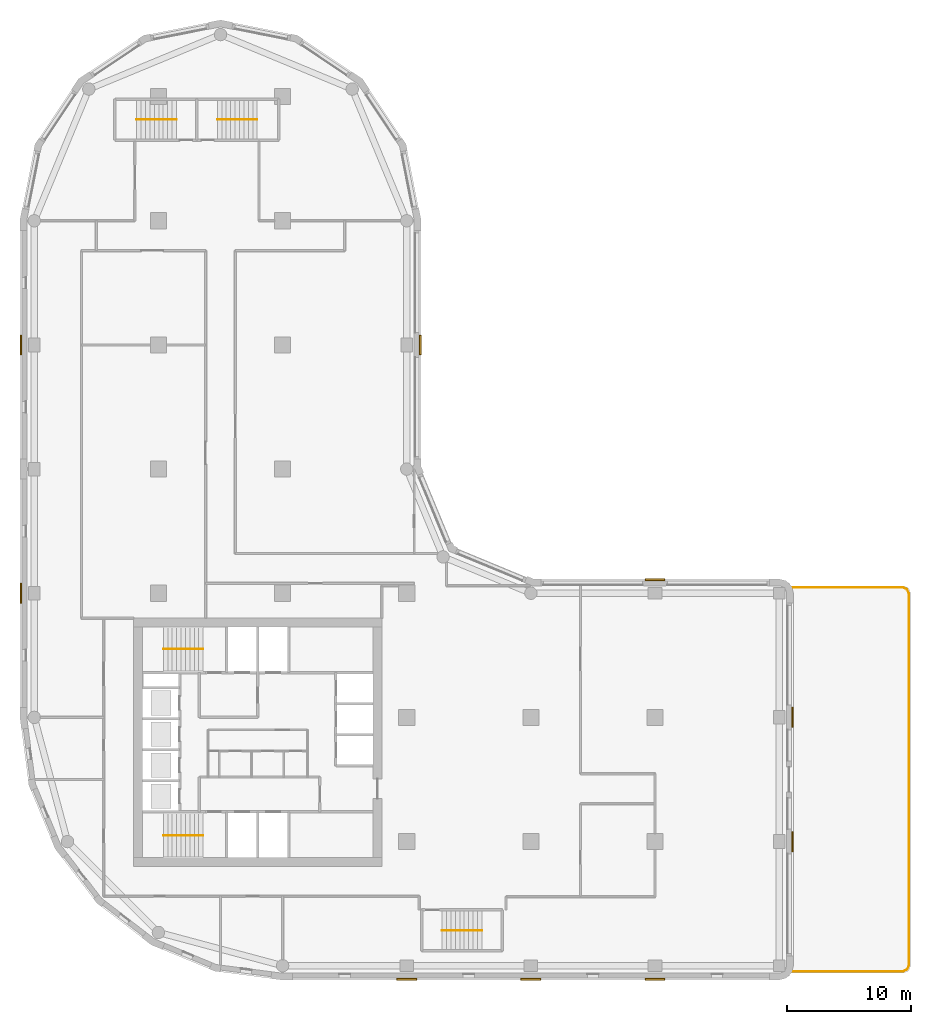
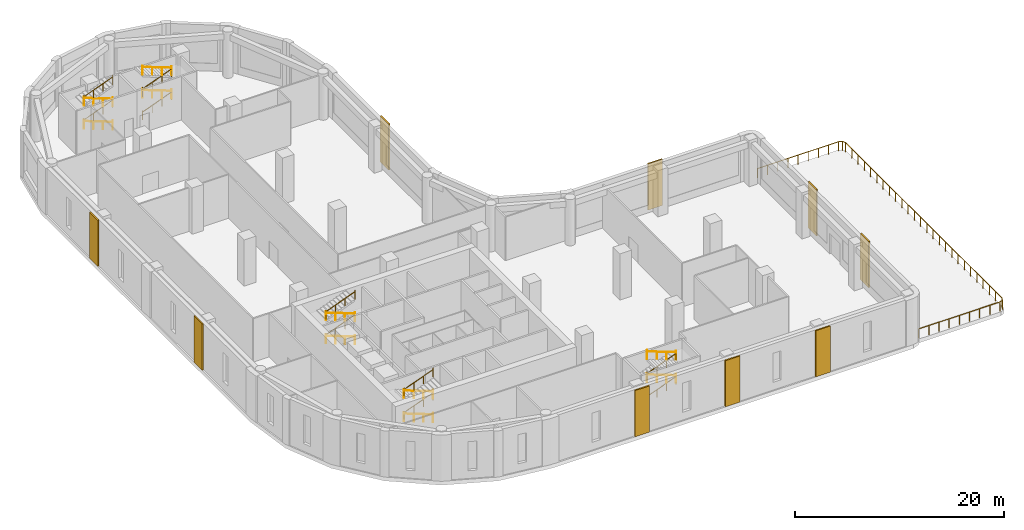
# One storey, part 8 of 9: 21 railings, 9 coverings.
"""IFC4 building model written with IfcOpenShell, lengths in metres."""

from ifc_helpers import new_model, si_unit, direction, frame, origin, origin_2d, place, context, subcontext, project, spatial, polyline, circle, outline, extrude, material, layer, layer_set, type_object, element, save


model = new_model("IFC4")

# Units and contexts
model_context = context("Model", 3, precision=1e-05, world=origin(), true_north=direction((0.0, 1.0)))
body_context = subcontext(model_context, "Body", "Model", "MODEL_VIEW")
ifc_project = project(units=[si_unit("LENGTHUNIT", "METRE"), si_unit("AREAUNIT", "SQUARE_METRE"), si_unit("VOLUMEUNIT", "CUBIC_METRE"), si_unit("PLANEANGLEUNIT", "RADIAN"), si_unit("MASSUNIT", "GRAM", prefix="KILO")], contexts=[model_context])

# Site, building, storey
site_placement = place(None, origin())
site = spatial("IfcSite", under=ifc_project, at=site_placement, CompositionType="ELEMENT")
building_placement = place(site_placement, origin())
building = spatial("IfcBuilding", under=site, at=building_placement, Name="Qaws Garden Tower", CompositionType="ELEMENT")
storey_placement = place(building_placement, frame((0.0, 0.0, 126.300048828125)))
storey = spatial("IfcBuildingStorey", under=building, at=storey_placement, Name="L30", CompositionType="ELEMENT", Elevation=126.300048828125)

# Coverings
ifc_material_1 = material(Name="Clay facing brick masonry", Category="masonry")
ifc_layer = layer(ifc_material_1, 0.14990234375)
ifc_layer_set = layer_set([ifc_layer], Name="Clay facing brick masonry")
covering_type = type_object("IfcCoveringType", Name="Brick pilaster facing 150 x 1600", PredefinedType="CLADDING", material=ifc_layer_set)
placement = place(storey_placement, origin())
element("IfcCovering", 1, at=placement, inside=storey, type_object=covering_type, Name="E-L30-pier-01", PredefinedType="CLADDING", context=body_context, shape_type="SweptSolid", body=[
    extrude(outline(polyline([(29.199951171875, -1.0), (30.800048828125, -1.0), (30.800048828125, -1.14990234375), (29.199951171875, -1.14990234375), (29.199951171875, -1.0)])), origin(), (0.0, 0.0, 1.0), 5.39990234375),
])
element("IfcCovering", 2, at=placement, inside=storey, type_object=covering_type, Name="E-L30-pier-02", PredefinedType="CLADDING", context=body_context, shape_type="SweptSolid", body=[
    extrude(outline(polyline([(39.199951171875, -1.0), (40.800048828125, -1.0), (40.800048828125, -1.14990234375), (39.199951171875, -1.14990234375), (39.199951171875, -1.0)])), origin(), (0.0, 0.0, 1.0), 5.39990234375),
])
element("IfcCovering", 3, at=placement, inside=storey, type_object=covering_type, Name="E-L30-pier-03", PredefinedType="CLADDING", context=body_context, shape_type="SweptSolid", body=[
    extrude(outline(polyline([(49.199951171875, -1.0), (50.800048828125, -1.0), (50.800048828125, -1.14990234375), (49.199951171875, -1.14990234375), (49.199951171875, -1.0)])), origin(), (0.0, 0.0, 1.0), 5.39990234375),
])
element("IfcCovering", 4, at=placement, inside=storey, type_object=covering_type, Name="E-L30-pier-05", PredefinedType="CLADDING", context=body_context, shape_type="SweptSolid", body=[
    extrude(outline(polyline([(61.0, 9.199951171875), (61.0, 10.800048828125), (61.14990234375, 10.800048828125), (61.14990234375, 9.199951171875), (61.0, 9.199951171875)])), origin(), (0.0, 0.0, 1.0), 5.39990234375),
])
element("IfcCovering", 5, at=placement, inside=storey, type_object=covering_type, Name="E-L30-pier-06", PredefinedType="CLADDING", context=body_context, shape_type="SweptSolid", body=[
    extrude(outline(polyline([(61.0, 19.199951171875), (61.0, 20.800048828125), (61.14990234375, 20.800048828125), (61.14990234375, 19.199951171875), (61.0, 19.199951171875)])), origin(), (0.0, 0.0, 1.0), 5.39990234375),
])
element("IfcCovering", 6, at=placement, inside=storey, type_object=covering_type, Name="E-L30-pier-08", PredefinedType="CLADDING", context=body_context, shape_type="SweptSolid", body=[
    extrude(outline(polyline([(50.800048828125, 31.0), (49.199951171875, 31.0), (49.199951171875, 31.14990234375), (50.800048828125, 31.14990234375), (50.800048828125, 31.0)])), origin(), (0.0, 0.0, 1.0), 5.39990234375),
])
element("IfcCovering", 7, at=placement, inside=storey, type_object=covering_type, Name="E-L30-pier-12", PredefinedType="CLADDING", context=body_context, shape_type="SweptSolid", body=[
    extrude(outline(polyline([(31.0, 49.199951171875), (31.0, 50.800048828125), (31.14990234375, 50.800048828125), (31.14990234375, 49.199951171875), (31.0, 49.199951171875)])), origin(), (0.0, 0.0, 1.0), 5.39990234375),
])
element("IfcCovering", 8, at=placement, inside=storey, type_object=covering_type, Name="E-L30-pier-22", PredefinedType="CLADDING", context=body_context, shape_type="SweptSolid", body=[
    extrude(outline(polyline([(-1.0, 50.800048828125), (-1.0, 49.199951171875), (-1.14990234375, 49.199951171875), (-1.14990234375, 50.800048828125), (-1.0, 50.800048828125)])), origin(), (0.0, 0.0, 1.0), 5.39990234375),
])
element("IfcCovering", 9, at=placement, inside=storey, type_object=covering_type, Name="E-L30-pier-24", PredefinedType="CLADDING", context=body_context, shape_type="SweptSolid", body=[
    extrude(outline(polyline([(-1.0, 30.800048828125), (-1.0, 29.199951171875), (-1.14990234375, 29.199951171875), (-1.14990234375, 30.800048828125), (-1.0, 30.800048828125)])), origin(), (0.0, 0.0, 1.0), 5.39990234375),
])

# Railings
ifc_material_2 = material(Name="Glass and steel S355", Category="steel")
railing_type_1 = type_object("IfcRailingType", Name="Guard glass balustrade 1100", PredefinedType="GUARDRAIL", material=ifc_material_2)
railing_1_placement = place(storey_placement, frame((60.97607421875, 30.449951171875, 0.0)))
element("IfcRailing", 10, at=railing_1_placement, inside=storey, type_object=railing_type_1, Name="Terrace guard", PredefinedType="GUARDRAIL", context=body_context, shape_type="SweptSolid", body=[
    extrude(circle(Radius=0.02392578125, at=origin_2d()), frame((0.0, 0.0, 1.076171875), z_axis=(1.0, 0.0, 0.0), x_axis=(0.0, 1.0, 0.0)), (0.0, 0.0, 1.0), 8.994140625),
    extrude(circle(Radius=0.02392578125, at=origin_2d()), frame((8.994140625, 0.0, 1.076171875), z_axis=(0.924057322028, -0.382253928177, 0.0), x_axis=(0.382253928177, 0.924057322028, 0.0)), (0.0, 0.0, 1.0), 0.3671875),
    extrude(circle(Radius=0.02392578125, at=origin_2d()), frame((9.33349609375, -0.140380859375, 1.076171875), z_axis=(0.382253928177, -0.924057322028, 0.0), x_axis=(0.924057322028, 0.382253928177, 0.0)), (0.0, 0.0, 1.0), 0.3671875),
    extrude(circle(Radius=0.02392578125, at=origin_2d()), frame((9.473876953125, -0.479736328125, 1.076171875), z_axis=(0.0, -1.0, 0.0), x_axis=(1.0, 0.0, 0.0)), (0.0, 0.0, 1.0), 29.9404296875),
    extrude(circle(Radius=0.02392578125, at=origin_2d()), frame((9.473876953125, -30.420166015625, 1.076171875), z_axis=(-0.382253928177, -0.924057322028, 0.0), x_axis=(0.924057322028, -0.382253928177, 0.0)), (0.0, 0.0, 1.0), 0.3671875),
    extrude(circle(Radius=0.02392578125, at=origin_2d()), frame((9.33349609375, -30.759521484375, 1.076171875), z_axis=(-0.924057322028, -0.382253928177, 0.0), x_axis=(0.382253928177, -0.924057322028, 0.0)), (0.0, 0.0, 1.0), 0.3671875),
    extrude(circle(Radius=0.02392578125, at=origin_2d()), frame((8.994140625, -30.89990234375, 1.076171875), z_axis=(-1.0, 0.0, 0.0), x_axis=(0.0, -1.0, 0.0)), (0.0, 0.0, 1.0), 8.994140625),
    extrude(circle(Radius=0.02099609375, at=origin_2d()), origin(), (0.0, 0.0, 1.0), 1.052001953125),
    extrude(circle(Radius=0.02099609375, at=origin_2d()), frame((1.124267578125, 0.0, 0.0)), (0.0, 0.0, 1.0), 1.052001953125),
    extrude(circle(Radius=0.02099609375, at=origin_2d()), frame((2.24853515625, 0.0, 0.0)), (0.0, 0.0, 1.0), 1.052001953125),
    extrude(circle(Radius=0.02099609375, at=origin_2d()), frame((3.372802734375, 0.0, 0.0)), (0.0, 0.0, 1.0), 1.052001953125),
    extrude(circle(Radius=0.02099609375, at=origin_2d()), frame((4.4970703125, 0.0, 0.0)), (0.0, 0.0, 1.0), 1.052001953125),
    extrude(circle(Radius=0.02099609375, at=origin_2d()), frame((5.621337890625, 0.0, 0.0)), (0.0, 0.0, 1.0), 1.052001953125),
    extrude(circle(Radius=0.02099609375, at=origin_2d()), frame((6.74560546875, 0.0, 0.0)), (0.0, 0.0, 1.0), 1.052001953125),
    extrude(circle(Radius=0.02099609375, at=origin_2d()), frame((7.869873046875, 0.0, 0.0)), (0.0, 0.0, 1.0), 1.052001953125),
    extrude(circle(Radius=0.02099609375, at=origin_2d()), frame((8.994140625, 0.0, 0.0)), (0.0, 0.0, 1.0), 1.052001953125),
    extrude(circle(Radius=0.02099609375, at=origin_2d()), frame((9.33349609375, -0.140380859375, 0.0)), (0.0, 0.0, 1.0), 1.052001953125),
    extrude(circle(Radius=0.02099609375, at=origin_2d()), frame((9.473876953125, -0.479736328125, 0.0)), (0.0, 0.0, 1.0), 1.052001953125),
    extrude(circle(Radius=0.02099609375, at=origin_2d()), frame((9.473876953125, -1.67724609375, 0.0)), (0.0, 0.0, 1.0), 1.052001953125),
    extrude(circle(Radius=0.02099609375, at=origin_2d()), frame((9.473876953125, -2.875, 0.0)), (0.0, 0.0, 1.0), 1.052001953125),
    extrude(circle(Radius=0.02099609375, at=origin_2d()), frame((9.473876953125, -4.072509765625, 0.0)), (0.0, 0.0, 1.0), 1.052001953125),
    extrude(circle(Radius=0.02099609375, at=origin_2d()), frame((9.473876953125, -5.270263671875, 0.0)), (0.0, 0.0, 1.0), 1.052001953125),
    extrude(circle(Radius=0.02099609375, at=origin_2d()), frame((9.473876953125, -6.4677734375, 0.0)), (0.0, 0.0, 1.0), 1.052001953125),
    extrude(circle(Radius=0.02099609375, at=origin_2d()), frame((9.473876953125, -7.66552734375, 0.0)), (0.0, 0.0, 1.0), 1.052001953125),
    extrude(circle(Radius=0.02099609375, at=origin_2d()), frame((9.473876953125, -8.863037109375, 0.0)), (0.0, 0.0, 1.0), 1.052001953125),
    extrude(circle(Radius=0.02099609375, at=origin_2d()), frame((9.473876953125, -10.060791015625, 0.0)), (0.0, 0.0, 1.0), 1.052001953125),
    extrude(circle(Radius=0.02099609375, at=origin_2d()), frame((9.473876953125, -11.25830078125, 0.0)), (0.0, 0.0, 1.0), 1.052001953125),
    extrude(circle(Radius=0.02099609375, at=origin_2d()), frame((9.473876953125, -12.455810546875, 0.0)), (0.0, 0.0, 1.0), 1.052001953125),
    extrude(circle(Radius=0.02099609375, at=origin_2d()), frame((9.473876953125, -13.653564453125, 0.0)), (0.0, 0.0, 1.0), 1.052001953125),
    extrude(circle(Radius=0.02099609375, at=origin_2d()), frame((9.473876953125, -14.85107421875, 0.0)), (0.0, 0.0, 1.0), 1.052001953125),
    extrude(circle(Radius=0.02099609375, at=origin_2d()), frame((9.473876953125, -16.048828125, 0.0)), (0.0, 0.0, 1.0), 1.052001953125),
    extrude(circle(Radius=0.02099609375, at=origin_2d()), frame((9.473876953125, -17.246337890625, 0.0)), (0.0, 0.0, 1.0), 1.052001953125),
    extrude(circle(Radius=0.02099609375, at=origin_2d()), frame((9.473876953125, -18.444091796875, 0.0)), (0.0, 0.0, 1.0), 1.052001953125),
    extrude(circle(Radius=0.02099609375, at=origin_2d()), frame((9.473876953125, -19.6416015625, 0.0)), (0.0, 0.0, 1.0), 1.052001953125),
    extrude(circle(Radius=0.02099609375, at=origin_2d()), frame((9.473876953125, -20.839111328125, 0.0)), (0.0, 0.0, 1.0), 1.052001953125),
    extrude(circle(Radius=0.02099609375, at=origin_2d()), frame((9.473876953125, -22.036865234375, 0.0)), (0.0, 0.0, 1.0), 1.052001953125),
    extrude(circle(Radius=0.02099609375, at=origin_2d()), frame((9.473876953125, -23.234375, 0.0)), (0.0, 0.0, 1.0), 1.052001953125),
    extrude(circle(Radius=0.02099609375, at=origin_2d()), frame((9.473876953125, -24.43212890625, 0.0)), (0.0, 0.0, 1.0), 1.052001953125),
    extrude(circle(Radius=0.02099609375, at=origin_2d()), frame((9.473876953125, -25.629638671875, 0.0)), (0.0, 0.0, 1.0), 1.052001953125),
    extrude(circle(Radius=0.02099609375, at=origin_2d()), frame((9.473876953125, -26.827392578125, 0.0)), (0.0, 0.0, 1.0), 1.052001953125),
    extrude(circle(Radius=0.02099609375, at=origin_2d()), frame((9.473876953125, -28.02490234375, 0.0)), (0.0, 0.0, 1.0), 1.052001953125),
    extrude(circle(Radius=0.02099609375, at=origin_2d()), frame((9.473876953125, -29.22265625, 0.0)), (0.0, 0.0, 1.0), 1.052001953125),
    extrude(circle(Radius=0.02099609375, at=origin_2d()), frame((9.473876953125, -30.420166015625, 0.0)), (0.0, 0.0, 1.0), 1.052001953125),
    extrude(circle(Radius=0.02099609375, at=origin_2d()), frame((9.33349609375, -30.759521484375, 0.0)), (0.0, 0.0, 1.0), 1.052001953125),
    extrude(circle(Radius=0.02099609375, at=origin_2d()), frame((8.994140625, -30.89990234375, 0.0)), (0.0, 0.0, 1.0), 1.052001953125),
    extrude(circle(Radius=0.02099609375, at=origin_2d()), frame((7.869873046875, -30.89990234375, 0.0)), (0.0, 0.0, 1.0), 1.052001953125),
    extrude(circle(Radius=0.02099609375, at=origin_2d()), frame((6.74560546875, -30.89990234375, 0.0)), (0.0, 0.0, 1.0), 1.052001953125),
    extrude(circle(Radius=0.02099609375, at=origin_2d()), frame((5.621337890625, -30.89990234375, 0.0)), (0.0, 0.0, 1.0), 1.052001953125),
    extrude(circle(Radius=0.02099609375, at=origin_2d()), frame((4.4970703125, -30.89990234375, 0.0)), (0.0, 0.0, 1.0), 1.052001953125),
    extrude(circle(Radius=0.02099609375, at=origin_2d()), frame((3.372802734375, -30.89990234375, 0.0)), (0.0, 0.0, 1.0), 1.052001953125),
    extrude(circle(Radius=0.02099609375, at=origin_2d()), frame((2.24853515625, -30.89990234375, 0.0)), (0.0, 0.0, 1.0), 1.052001953125),
    extrude(circle(Radius=0.02099609375, at=origin_2d()), frame((1.124267578125, -30.89990234375, 0.0)), (0.0, 0.0, 1.0), 1.052001953125),
    extrude(circle(Radius=0.02099609375, at=origin_2d()), frame((0.0, -30.89990234375, 0.0)), (0.0, 0.0, 1.0), 1.052001953125),
])
ifc_material_3 = material(Name="Steel S355", Category="steel")
railing_type_2 = type_object("IfcRailingType", Name="Stair handrail 900", PredefinedType="HANDRAIL", material=ifc_material_3)
railing_2_placement = place(storey_placement, frame((13.60009765625, 10.5, 0.135009765625)))
element("IfcRailing", 11, at=railing_2_placement, inside=storey, type_object=railing_type_2, Name="Stair 1 handrail", PredefinedType="HANDRAIL", context=body_context, shape_type="SweptSolid", body=[
    extrude(circle(Radius=0.02392578125, at=origin_2d()), frame((0.0, 0.0, 0.8759765625), z_axis=(-0.935046397956, 0.0, 0.354525363931), x_axis=(0.0, -1.0, 0.0)), (0.0, 0.0, 1.0), 3.4267578125),
    extrude(circle(Radius=0.02099609375, at=origin_2d()), origin(), (0.0, 0.0, 1.0), 1.034912109375),
    extrude(circle(Radius=0.02099609375, at=origin_2d()), frame((-1.068115234375, 0.0, 0.405029296875)), (0.0, 0.0, 1.0), 0.851806640625),
    extrude(circle(Radius=0.02099609375, at=origin_2d()), frame((-2.135986328125, 0.0, 0.809814453125)), (0.0, 0.0, 1.0), 0.851806640625),
    extrude(circle(Radius=0.02099609375, at=origin_2d()), frame((-3.2041015625, 0.0, 1.21484375)), (0.0, 0.0, 1.0), 1.034912109375),
])
railing_3_placement = place(storey_placement, frame((10.39599609375, 10.5, 1.48486328125)))
element("IfcRailing", 12, at=railing_3_placement, inside=storey, type_object=railing_type_2, Name="Stair 1 handrail", PredefinedType="HANDRAIL", context=body_context, shape_type="SweptSolid", body=[
    extrude(circle(Radius=0.02392578125, at=origin_2d()), frame((0.0, 0.0, 0.8759765625), z_axis=(0.935022778244, 0.0, 0.354587653712), x_axis=(0.0, 1.0, 0.0)), (0.0, 0.0, 1.0), 3.4267578125),
    extrude(circle(Radius=0.02099609375, at=origin_2d()), origin(), (0.0, 0.0, 1.0), 1.034912109375),
    extrude(circle(Radius=0.02099609375, at=origin_2d()), frame((1.068115234375, 0.0, 0.405029296875)), (0.0, 0.0, 1.0), 0.851806640625),
    extrude(circle(Radius=0.02099609375, at=origin_2d()), frame((2.135986328125, 0.0, 0.81005859375)), (0.0, 0.0, 1.0), 0.851806640625),
    extrude(circle(Radius=0.02099609375, at=origin_2d()), frame((3.2041015625, 0.0, 1.215087890625)), (0.0, 0.0, 1.0), 1.034912109375),
])
railing_4_placement = place(storey_placement, frame((13.60009765625, 10.5, 2.8349609375)))
element("IfcRailing", 13, at=railing_4_placement, inside=storey, type_object=railing_type_2, Name="Stair 1 handrail", PredefinedType="HANDRAIL", context=body_context, shape_type="SweptSolid", body=[
    extrude(circle(Radius=0.02392578125, at=origin_2d()), frame((0.0, 0.0, 0.8759765625), z_axis=(-0.935022778244, 0.0, 0.354587653712), x_axis=(0.0, -1.0, 0.0)), (0.0, 0.0, 1.0), 3.4267578125),
    extrude(circle(Radius=0.02099609375, at=origin_2d()), origin(), (0.0, 0.0, 1.0), 1.034912109375),
    extrude(circle(Radius=0.02099609375, at=origin_2d()), frame((-1.068115234375, 0.0, 0.405029296875)), (0.0, 0.0, 1.0), 0.851806640625),
    extrude(circle(Radius=0.02099609375, at=origin_2d()), frame((-2.135986328125, 0.0, 0.81005859375)), (0.0, 0.0, 1.0), 0.851806640625),
    extrude(circle(Radius=0.02099609375, at=origin_2d()), frame((-3.2041015625, 0.0, 1.215087890625)), (0.0, 0.0, 1.0), 1.034912109375),
])
railing_5_placement = place(storey_placement, frame((10.39599609375, 10.5, 4.18505859375)))
element("IfcRailing", 14, at=railing_5_placement, inside=storey, type_object=railing_type_2, Name="Stair 1 handrail", PredefinedType="HANDRAIL", context=body_context, shape_type="SweptSolid", body=[
    extrude(circle(Radius=0.02392578125, at=origin_2d()), frame((0.0, 0.0, 0.8759765625), z_axis=(0.935046397956, 0.0, 0.354525363931), x_axis=(0.0, 1.0, 0.0)), (0.0, 0.0, 1.0), 3.4267578125),
    extrude(circle(Radius=0.02099609375, at=origin_2d()), origin(), (0.0, 0.0, 1.0), 1.034912109375),
    extrude(circle(Radius=0.02099609375, at=origin_2d()), frame((1.068115234375, 0.0, 0.405029296875)), (0.0, 0.0, 1.0), 0.851806640625),
    extrude(circle(Radius=0.02099609375, at=origin_2d()), frame((2.135986328125, 0.0, 0.809814453125)), (0.0, 0.0, 1.0), 0.851806640625),
    extrude(circle(Radius=0.02099609375, at=origin_2d()), frame((3.2041015625, 0.0, 1.21484375)), (0.0, 0.0, 1.0), 1.034912109375),
])
railing_6_placement = place(storey_placement, frame((13.60009765625, 25.5, 0.135009765625)))
element("IfcRailing", 15, at=railing_6_placement, inside=storey, type_object=railing_type_2, Name="Stair 4 handrail", PredefinedType="HANDRAIL", context=body_context, shape_type="SweptSolid", body=[
    extrude(circle(Radius=0.02392578125, at=origin_2d()), frame((0.0, 0.0, 0.8759765625), z_axis=(-0.935046397956, 0.0, 0.354525363931), x_axis=(0.0, -1.0, 0.0)), (0.0, 0.0, 1.0), 3.4267578125),
    extrude(circle(Radius=0.02099609375, at=origin_2d()), origin(), (0.0, 0.0, 1.0), 1.034912109375),
    extrude(circle(Radius=0.02099609375, at=origin_2d()), frame((-1.068115234375, 0.0, 0.405029296875)), (0.0, 0.0, 1.0), 0.851806640625),
    extrude(circle(Radius=0.02099609375, at=origin_2d()), frame((-2.135986328125, 0.0, 0.809814453125)), (0.0, 0.0, 1.0), 0.851806640625),
    extrude(circle(Radius=0.02099609375, at=origin_2d()), frame((-3.2041015625, 0.0, 1.21484375)), (0.0, 0.0, 1.0), 1.034912109375),
])
railing_7_placement = place(storey_placement, frame((10.39599609375, 25.5, 1.48486328125)))
element("IfcRailing", 16, at=railing_7_placement, inside=storey, type_object=railing_type_2, Name="Stair 4 handrail", PredefinedType="HANDRAIL", context=body_context, shape_type="SweptSolid", body=[
    extrude(circle(Radius=0.02392578125, at=origin_2d()), frame((0.0, 0.0, 0.8759765625), z_axis=(0.935022778244, 0.0, 0.354587653712), x_axis=(0.0, 1.0, 0.0)), (0.0, 0.0, 1.0), 3.4267578125),
    extrude(circle(Radius=0.02099609375, at=origin_2d()), origin(), (0.0, 0.0, 1.0), 1.034912109375),
    extrude(circle(Radius=0.02099609375, at=origin_2d()), frame((1.068115234375, 0.0, 0.405029296875)), (0.0, 0.0, 1.0), 0.851806640625),
    extrude(circle(Radius=0.02099609375, at=origin_2d()), frame((2.135986328125, 0.0, 0.81005859375)), (0.0, 0.0, 1.0), 0.851806640625),
    extrude(circle(Radius=0.02099609375, at=origin_2d()), frame((3.2041015625, 0.0, 1.215087890625)), (0.0, 0.0, 1.0), 1.034912109375),
])
railing_8_placement = place(storey_placement, frame((13.60009765625, 25.5, 2.8349609375)))
element("IfcRailing", 17, at=railing_8_placement, inside=storey, type_object=railing_type_2, Name="Stair 4 handrail", PredefinedType="HANDRAIL", context=body_context, shape_type="SweptSolid", body=[
    extrude(circle(Radius=0.02392578125, at=origin_2d()), frame((0.0, 0.0, 0.8759765625), z_axis=(-0.935022778244, 0.0, 0.354587653712), x_axis=(0.0, -1.0, 0.0)), (0.0, 0.0, 1.0), 3.4267578125),
    extrude(circle(Radius=0.02099609375, at=origin_2d()), origin(), (0.0, 0.0, 1.0), 1.034912109375),
    extrude(circle(Radius=0.02099609375, at=origin_2d()), frame((-1.068115234375, 0.0, 0.405029296875)), (0.0, 0.0, 1.0), 0.851806640625),
    extrude(circle(Radius=0.02099609375, at=origin_2d()), frame((-2.135986328125, 0.0, 0.81005859375)), (0.0, 0.0, 1.0), 0.851806640625),
    extrude(circle(Radius=0.02099609375, at=origin_2d()), frame((-3.2041015625, 0.0, 1.215087890625)), (0.0, 0.0, 1.0), 1.034912109375),
])
railing_9_placement = place(storey_placement, frame((10.39599609375, 25.5, 4.18505859375)))
element("IfcRailing", 18, at=railing_9_placement, inside=storey, type_object=railing_type_2, Name="Stair 4 handrail", PredefinedType="HANDRAIL", context=body_context, shape_type="SweptSolid", body=[
    extrude(circle(Radius=0.02392578125, at=origin_2d()), frame((0.0, 0.0, 0.8759765625), z_axis=(0.935046397956, 0.0, 0.354525363931), x_axis=(0.0, 1.0, 0.0)), (0.0, 0.0, 1.0), 3.4267578125),
    extrude(circle(Radius=0.02099609375, at=origin_2d()), origin(), (0.0, 0.0, 1.0), 1.034912109375),
    extrude(circle(Radius=0.02099609375, at=origin_2d()), frame((1.068115234375, 0.0, 0.405029296875)), (0.0, 0.0, 1.0), 0.851806640625),
    extrude(circle(Radius=0.02099609375, at=origin_2d()), frame((2.135986328125, 0.0, 0.809814453125)), (0.0, 0.0, 1.0), 0.851806640625),
    extrude(circle(Radius=0.02099609375, at=origin_2d()), frame((3.2041015625, 0.0, 1.21484375)), (0.0, 0.0, 1.0), 1.034912109375),
])
railing_10_placement = place(storey_placement, frame((32.85009765625, 2.85009765625, 0.135009765625)))
element("IfcRailing", 19, at=railing_10_placement, inside=storey, type_object=railing_type_2, Name="Stair 5 handrail", PredefinedType="HANDRAIL", context=body_context, shape_type="SweptSolid", body=[
    extrude(circle(Radius=0.02392578125, at=origin_2d()), frame((0.0, 0.0, 0.8759765625), z_axis=(0.935037442144, 0.0, 0.354548983625), x_axis=(0.0, 1.0, 0.0)), (0.0, 0.0, 1.0), 3.426513671875),
    extrude(circle(Radius=0.02099609375, at=origin_2d()), origin(), (0.0, 0.0, 1.0), 1.034912109375),
    extrude(circle(Radius=0.02099609375, at=origin_2d()), frame((1.06787109375, 0.0, 0.405029296875)), (0.0, 0.0, 1.0), 0.851806640625),
    extrude(circle(Radius=0.02099609375, at=origin_2d()), frame((2.135986328125, 0.0, 0.809814453125)), (0.0, 0.0, 1.0), 0.851806640625),
    extrude(circle(Radius=0.02099609375, at=origin_2d()), frame((3.203857421875, 0.0, 1.21484375)), (0.0, 0.0, 1.0), 1.034912109375),
])
railing_11_placement = place(storey_placement, frame((36.053955078125, 2.85009765625, 1.48486328125)))
element("IfcRailing", 20, at=railing_11_placement, inside=storey, type_object=railing_type_2, Name="Stair 5 handrail", PredefinedType="HANDRAIL", context=body_context, shape_type="SweptSolid", body=[
    extrude(circle(Radius=0.02392578125, at=origin_2d()), frame((0.0, 0.0, 0.8759765625), z_axis=(-0.935013819511, 0.0, 0.354611276363), x_axis=(0.0, -1.0, 0.0)), (0.0, 0.0, 1.0), 3.426513671875),
    extrude(circle(Radius=0.02099609375, at=origin_2d()), origin(), (0.0, 0.0, 1.0), 1.034912109375),
    extrude(circle(Radius=0.02099609375, at=origin_2d()), frame((-1.06787109375, 0.0, 0.405029296875)), (0.0, 0.0, 1.0), 0.851806640625),
    extrude(circle(Radius=0.02099609375, at=origin_2d()), frame((-2.135986328125, 0.0, 0.81005859375)), (0.0, 0.0, 1.0), 0.851806640625),
    extrude(circle(Radius=0.02099609375, at=origin_2d()), frame((-3.203857421875, 0.0, 1.215087890625)), (0.0, 0.0, 1.0), 1.034912109375),
])
railing_12_placement = place(storey_placement, frame((32.85009765625, 2.85009765625, 2.8349609375)))
element("IfcRailing", 21, at=railing_12_placement, inside=storey, type_object=railing_type_2, Name="Stair 5 handrail", PredefinedType="HANDRAIL", context=body_context, shape_type="SweptSolid", body=[
    extrude(circle(Radius=0.02392578125, at=origin_2d()), frame((0.0, 0.0, 0.8759765625), z_axis=(0.935013819511, 0.0, 0.354611276363), x_axis=(0.0, 1.0, 0.0)), (0.0, 0.0, 1.0), 3.426513671875),
    extrude(circle(Radius=0.02099609375, at=origin_2d()), origin(), (0.0, 0.0, 1.0), 1.034912109375),
    extrude(circle(Radius=0.02099609375, at=origin_2d()), frame((1.06787109375, 0.0, 0.405029296875)), (0.0, 0.0, 1.0), 0.851806640625),
    extrude(circle(Radius=0.02099609375, at=origin_2d()), frame((2.135986328125, 0.0, 0.81005859375)), (0.0, 0.0, 1.0), 0.851806640625),
    extrude(circle(Radius=0.02099609375, at=origin_2d()), frame((3.203857421875, 0.0, 1.215087890625)), (0.0, 0.0, 1.0), 1.034912109375),
])
for number, where, name in (
    (22, (36.053955078125, 2.85009765625, 4.18505859375), "Stair 5 handrail"),
    (23, (11.449951171875, 68.14990234375, 0.135009765625), "Stair 6 handrail"),
):
    element("IfcRailing", number, at=place(storey_placement, frame(where)), inside=storey, type_object=railing_type_2, Name=name, PredefinedType="HANDRAIL", context=body_context, shape_type="SweptSolid", body=[
        extrude(circle(Radius=0.02392578125, at=origin_2d()), frame((0.0, 0.0, 0.8759765625), z_axis=(-0.935037442144, 0.0, 0.354548983625), x_axis=(0.0, -1.0, 0.0)), (0.0, 0.0, 1.0), 3.426513671875),
        extrude(circle(Radius=0.02099609375, at=origin_2d()), origin(), (0.0, 0.0, 1.0), 1.034912109375),
        extrude(circle(Radius=0.02099609375, at=origin_2d()), frame((-1.06787109375, 0.0, 0.405029296875)), (0.0, 0.0, 1.0), 0.851806640625),
        extrude(circle(Radius=0.02099609375, at=origin_2d()), frame((-2.135986328125, 0.0, 0.809814453125)), (0.0, 0.0, 1.0), 0.851806640625),
        extrude(circle(Radius=0.02099609375, at=origin_2d()), frame((-3.203857421875, 0.0, 1.21484375)), (0.0, 0.0, 1.0), 1.034912109375),
    ])
railing_13_placement = place(storey_placement, frame((8.24609375, 68.14990234375, 1.48486328125)))
element("IfcRailing", 24, at=railing_13_placement, inside=storey, type_object=railing_type_2, Name="Stair 6 handrail", PredefinedType="HANDRAIL", context=body_context, shape_type="SweptSolid", body=[
    extrude(circle(Radius=0.02392578125, at=origin_2d()), frame((0.0, 0.0, 0.8759765625), z_axis=(0.935013819511, 0.0, 0.354611276363), x_axis=(0.0, 1.0, 0.0)), (0.0, 0.0, 1.0), 3.426513671875),
    extrude(circle(Radius=0.02099609375, at=origin_2d()), origin(), (0.0, 0.0, 1.0), 1.034912109375),
    extrude(circle(Radius=0.02099609375, at=origin_2d()), frame((1.06787109375, 0.0, 0.405029296875)), (0.0, 0.0, 1.0), 0.851806640625),
    extrude(circle(Radius=0.02099609375, at=origin_2d()), frame((2.135986328125, 0.0, 0.81005859375)), (0.0, 0.0, 1.0), 0.851806640625),
    extrude(circle(Radius=0.02099609375, at=origin_2d()), frame((3.203857421875, 0.0, 1.215087890625)), (0.0, 0.0, 1.0), 1.034912109375),
])
railing_14_placement = place(storey_placement, frame((11.449951171875, 68.14990234375, 2.8349609375)))
element("IfcRailing", 25, at=railing_14_placement, inside=storey, type_object=railing_type_2, Name="Stair 6 handrail", PredefinedType="HANDRAIL", context=body_context, shape_type="SweptSolid", body=[
    extrude(circle(Radius=0.02392578125, at=origin_2d()), frame((0.0, 0.0, 0.8759765625), z_axis=(-0.935013819511, 0.0, 0.354611276363), x_axis=(0.0, -1.0, 0.0)), (0.0, 0.0, 1.0), 3.426513671875),
    extrude(circle(Radius=0.02099609375, at=origin_2d()), origin(), (0.0, 0.0, 1.0), 1.034912109375),
    extrude(circle(Radius=0.02099609375, at=origin_2d()), frame((-1.06787109375, 0.0, 0.405029296875)), (0.0, 0.0, 1.0), 0.851806640625),
    extrude(circle(Radius=0.02099609375, at=origin_2d()), frame((-2.135986328125, 0.0, 0.81005859375)), (0.0, 0.0, 1.0), 0.851806640625),
    extrude(circle(Radius=0.02099609375, at=origin_2d()), frame((-3.203857421875, 0.0, 1.215087890625)), (0.0, 0.0, 1.0), 1.034912109375),
])
railing_15_placement = place(storey_placement, frame((8.24609375, 68.14990234375, 4.18505859375)))
element("IfcRailing", 26, at=railing_15_placement, inside=storey, type_object=railing_type_2, Name="Stair 6 handrail", PredefinedType="HANDRAIL", context=body_context, shape_type="SweptSolid", body=[
    extrude(circle(Radius=0.02392578125, at=origin_2d()), frame((0.0, 0.0, 0.8759765625), z_axis=(0.935037442144, 0.0, 0.354548983625), x_axis=(0.0, 1.0, 0.0)), (0.0, 0.0, 1.0), 3.426513671875),
    extrude(circle(Radius=0.02099609375, at=origin_2d()), origin(), (0.0, 0.0, 1.0), 1.034912109375),
    extrude(circle(Radius=0.02099609375, at=origin_2d()), frame((1.06787109375, 0.0, 0.405029296875)), (0.0, 0.0, 1.0), 0.851806640625),
    extrude(circle(Radius=0.02099609375, at=origin_2d()), frame((2.135986328125, 0.0, 0.809814453125)), (0.0, 0.0, 1.0), 0.851806640625),
    extrude(circle(Radius=0.02099609375, at=origin_2d()), frame((3.203857421875, 0.0, 1.21484375)), (0.0, 0.0, 1.0), 1.034912109375),
])
railing_16_placement = place(storey_placement, frame((14.75, 68.14990234375, 0.135009765625)))
element("IfcRailing", 27, at=railing_16_placement, inside=storey, type_object=railing_type_2, Name="Stair 7 handrail", PredefinedType="HANDRAIL", context=body_context, shape_type="SweptSolid", body=[
    extrude(circle(Radius=0.02392578125, at=origin_2d()), frame((0.0, 0.0, 0.8759765625), z_axis=(0.935046397956, 0.0, 0.354525363931), x_axis=(0.0, 1.0, 0.0)), (0.0, 0.0, 1.0), 3.4267578125),
    extrude(circle(Radius=0.02099609375, at=origin_2d()), origin(), (0.0, 0.0, 1.0), 1.034912109375),
    extrude(circle(Radius=0.02099609375, at=origin_2d()), frame((1.068115234375, 0.0, 0.405029296875)), (0.0, 0.0, 1.0), 0.851806640625),
    extrude(circle(Radius=0.02099609375, at=origin_2d()), frame((2.135986328125, 0.0, 0.809814453125)), (0.0, 0.0, 1.0), 0.851806640625),
    extrude(circle(Radius=0.02099609375, at=origin_2d()), frame((3.2041015625, 0.0, 1.21484375)), (0.0, 0.0, 1.0), 1.034912109375),
])
railing_17_placement = place(storey_placement, frame((17.9541015625, 68.14990234375, 1.48486328125)))
element("IfcRailing", 28, at=railing_17_placement, inside=storey, type_object=railing_type_2, Name="Stair 7 handrail", PredefinedType="HANDRAIL", context=body_context, shape_type="SweptSolid", body=[
    extrude(circle(Radius=0.02392578125, at=origin_2d()), frame((0.0, 0.0, 0.8759765625), z_axis=(-0.935022778244, 0.0, 0.354587653712), x_axis=(0.0, -1.0, 0.0)), (0.0, 0.0, 1.0), 3.4267578125),
    extrude(circle(Radius=0.02099609375, at=origin_2d()), origin(), (0.0, 0.0, 1.0), 1.034912109375),
    extrude(circle(Radius=0.02099609375, at=origin_2d()), frame((-1.068115234375, 0.0, 0.405029296875)), (0.0, 0.0, 1.0), 0.851806640625),
    extrude(circle(Radius=0.02099609375, at=origin_2d()), frame((-2.135986328125, 0.0, 0.81005859375)), (0.0, 0.0, 1.0), 0.851806640625),
    extrude(circle(Radius=0.02099609375, at=origin_2d()), frame((-3.2041015625, 0.0, 1.215087890625)), (0.0, 0.0, 1.0), 1.034912109375),
])
railing_18_placement = place(storey_placement, frame((14.75, 68.14990234375, 2.8349609375)))
element("IfcRailing", 29, at=railing_18_placement, inside=storey, type_object=railing_type_2, Name="Stair 7 handrail", PredefinedType="HANDRAIL", context=body_context, shape_type="SweptSolid", body=[
    extrude(circle(Radius=0.02392578125, at=origin_2d()), frame((0.0, 0.0, 0.8759765625), z_axis=(0.935022778244, 0.0, 0.354587653712), x_axis=(0.0, 1.0, 0.0)), (0.0, 0.0, 1.0), 3.4267578125),
    extrude(circle(Radius=0.02099609375, at=origin_2d()), origin(), (0.0, 0.0, 1.0), 1.034912109375),
    extrude(circle(Radius=0.02099609375, at=origin_2d()), frame((1.068115234375, 0.0, 0.405029296875)), (0.0, 0.0, 1.0), 0.851806640625),
    extrude(circle(Radius=0.02099609375, at=origin_2d()), frame((2.135986328125, 0.0, 0.81005859375)), (0.0, 0.0, 1.0), 0.851806640625),
    extrude(circle(Radius=0.02099609375, at=origin_2d()), frame((3.2041015625, 0.0, 1.215087890625)), (0.0, 0.0, 1.0), 1.034912109375),
])
railing_19_placement = place(storey_placement, frame((17.9541015625, 68.14990234375, 4.18505859375)))
element("IfcRailing", 30, at=railing_19_placement, inside=storey, type_object=railing_type_2, Name="Stair 7 handrail", PredefinedType="HANDRAIL", context=body_context, shape_type="SweptSolid", body=[
    extrude(circle(Radius=0.02392578125, at=origin_2d()), frame((0.0, 0.0, 0.8759765625), z_axis=(-0.935046397956, 0.0, 0.354525363931), x_axis=(0.0, -1.0, 0.0)), (0.0, 0.0, 1.0), 3.4267578125),
    extrude(circle(Radius=0.02099609375, at=origin_2d()), origin(), (0.0, 0.0, 1.0), 1.034912109375),
    extrude(circle(Radius=0.02099609375, at=origin_2d()), frame((-1.068115234375, 0.0, 0.405029296875)), (0.0, 0.0, 1.0), 0.851806640625),
    extrude(circle(Radius=0.02099609375, at=origin_2d()), frame((-2.135986328125, 0.0, 0.809814453125)), (0.0, 0.0, 1.0), 0.851806640625),
    extrude(circle(Radius=0.02099609375, at=origin_2d()), frame((-3.2041015625, 0.0, 1.21484375)), (0.0, 0.0, 1.0), 1.034912109375),
])

save(model, "model.ifc")
